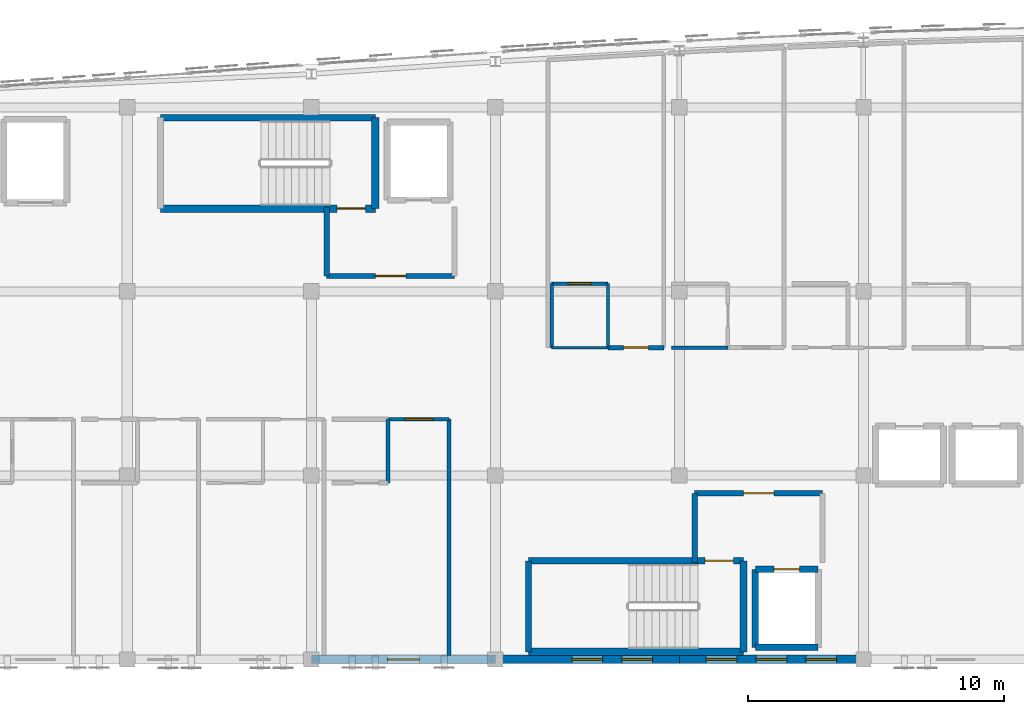
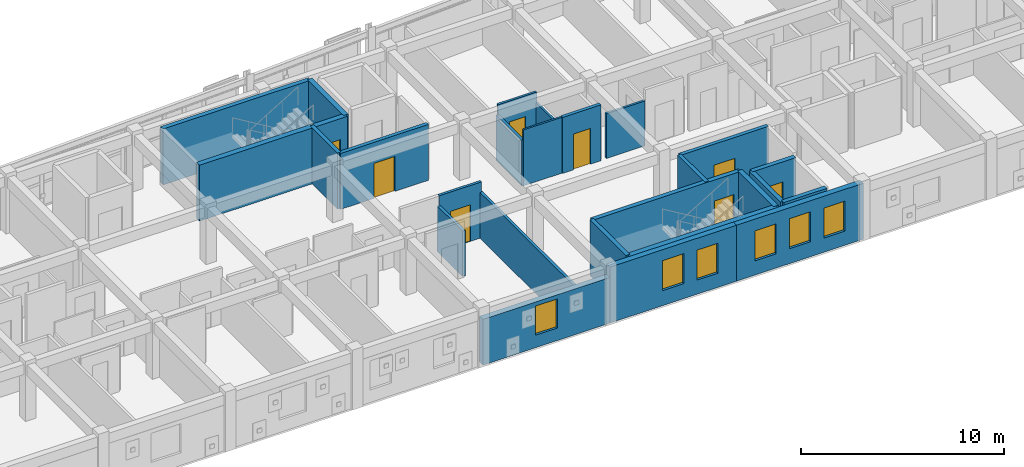
# One storey, part 35 of 45: 26 walls, 8 doors, 6 windows, 14 openings.
"""IFC4 building model written with IfcOpenShell, lengths in metres."""

import ifcopenshell
import ifcopenshell.guid

model = None  # the IFC model being written
_history = None  # IfcOwnerHistory: only IFC2X3 demands one
_inside = {}  # id of a spatial element -> (the spatial element, [elements in it])
_under = {}  # id of a project, library or spatial element -> (it, [spatial elements below it])
_declared = {}  # id of a project -> (the project, [libraries it declares])
_typed = {}  # id of a type object -> (the type object, [elements of that type])
_made_of = {}  # id of a material, layer set ... -> (it, [elements and type objects made of it])


def new_model(schema):
    """Start an empty IFC model of exactly this schema.

    Asked for "IFC4X3", IfcOpenShell would pick the latest addendum, in which some entities
    have other attributes; the version numbers below select the first issue.
    IFC2X3 requires an IfcOwnerHistory on every rooted entity: one is made here for all.
    """
    global model, _history
    if schema == "IFC4X3":
        model = ifcopenshell.file(schema_version=(4, 3, 0, 0))
    else:
        model = ifcopenshell.file(schema=schema)
    _inside.clear()
    _under.clear()
    _declared.clear()
    _typed.clear()
    _made_of.clear()
    _history = None
    if model.schema == "IFC2X3":
        org = make("IfcOrganization", Name="unknown")
        user = make(
            "IfcPersonAndOrganization",
            ThePerson=make("IfcPerson", FamilyName="unknown"),
            TheOrganization=org,
        )
        app = make(
            "IfcApplication",
            ApplicationDeveloper=org,
            Version="unknown",
            ApplicationFullName="unknown",
            ApplicationIdentifier="unknown",
        )
        _history = make(
            "IfcOwnerHistory",
            OwningUser=user,
            OwningApplication=app,
            ChangeAction="ADDED",
            CreationDate=0,
        )
    return model


def make(cls, **values):
    """One entity of the class cls with the attributes given. An attribute that is None is left unset."""
    return model.create_entity(
        cls, **{name: value for name, value in values.items() if value is not None}
    )


def rooted(cls, **values):
    """An entity with a GlobalId (a new one), such as an element, a storey or a relation."""
    return make(cls, GlobalId=ifcopenshell.guid.new(), OwnerHistory=_history, **values)


def si_unit(unit_type, name, prefix=None):
    """IfcSIUnit, for example si_unit("LENGTHUNIT", "METRE", prefix="MILLI")."""
    return make("IfcSIUnit", UnitType=unit_type, Prefix=prefix, Name=name)


def assignment(units):
    """IfcUnitAssignment: the units of a project."""
    return None if units is None else make("IfcUnitAssignment", Units=units)


def point(xyz):
    """IfcCartesianPoint."""
    return None if xyz is None else make("IfcCartesianPoint", Coordinates=xyz)


def direction(xyz):
    """IfcDirection."""
    return None if xyz is None else make("IfcDirection", DirectionRatios=xyz)


def frame(location, z_axis=None, x_axis=None):
    """IfcAxis2Placement3D, a coordinate frame: its origin and axes. An axis left out is left unset."""
    return make(
        "IfcAxis2Placement3D",
        Location=point(location),
        Axis=direction(z_axis),
        RefDirection=direction(x_axis),
    )


def frame_2d(location, x_axis=None):
    """IfcAxis2Placement2D, a coordinate frame in the plane: its origin and x axis."""
    return make(
        "IfcAxis2Placement2D", Location=point(location), RefDirection=direction(x_axis)
    )


def origin():
    """The frame at (0, 0, 0) with its axes left unset."""
    return frame((0.0, 0.0, 0.0))


def place(relative_to, where):
    """IfcLocalPlacement: puts the frame where relative to a parent placement (None: the world)."""
    return make(
        "IfcLocalPlacement", PlacementRelTo=relative_to, RelativePlacement=where
    )


def context(
    kind, dimensions, precision=None, world=None, true_north=None, identifier=None
):
    """IfcGeometricRepresentationContext, for example the 3D "Model" context."""
    return make(
        "IfcGeometricRepresentationContext",
        ContextIdentifier=identifier,
        ContextType=kind,
        CoordinateSpaceDimension=dimensions,
        Precision=precision,
        WorldCoordinateSystem=world,
        TrueNorth=true_north,
    )


def subcontext(parent, identifier, kind, view, scale=None):
    """IfcGeometricRepresentationSubContext, for example "Body" below "Model"."""
    return make(
        "IfcGeometricRepresentationSubContext",
        ContextIdentifier=identifier,
        ContextType=kind,
        ParentContext=parent,
        TargetScale=scale,
        TargetView=view,
    )


def project(units=None, contexts=None):
    """IfcProject with its units and contexts."""
    return rooted(
        "IfcProject",
        Name="project",
        RepresentationContexts=contexts,
        UnitsInContext=assignment(units),
    )


def spatial(cls, under=None, at=None, **own):
    """A site, building, storey or space (cls), placed at a placement, below another one or the project."""
    s = rooted(cls, ObjectPlacement=at, **own)
    if under is not None:
        _under.setdefault(under.id(), (under, []))[1].append(s)
    return s


def profile(cls, at=None, kind="AREA", **sizes):
    """A parametric profile (cls). Its sizes go by their IFC names, for example OverallWidth=200.0."""
    return make(cls, ProfileType=kind, Position=at, **sizes)


def rectangle(**sizes):
    """IfcRectangleProfileDef."""
    return profile("IfcRectangleProfileDef", **sizes)


def extrude(swept, where, along, depth):
    """IfcExtrudedAreaSolid: the profile swept, set in the frame where, extruded along a direction by depth."""
    return make(
        "IfcExtrudedAreaSolid",
        SweptArea=swept,
        Position=where,
        ExtrudedDirection=direction(along),
        Depth=depth,
    )


def shape(context_of_items, identifier, shape_type, items):
    """IfcShapeRepresentation: the items that make up one representation, for example the "Body"."""
    return make(
        "IfcShapeRepresentation",
        ContextOfItems=context_of_items,
        RepresentationIdentifier=identifier,
        RepresentationType=shape_type,
        Items=items,
    )


def material(Name=None, Category=None):
    """IfcMaterial."""
    return make("IfcMaterial", Name=Name, Category=Category)


def layer(
    of_material, thickness, ventilated=None, Name=None, Category=None, Priority=None
):
    """IfcMaterialLayer: one layer of a wall or slab, of a material (None: an air gap)."""
    return make(
        "IfcMaterialLayer",
        Material=of_material,
        LayerThickness=thickness,
        IsVentilated=ventilated,
        Name=Name,
        Category=Category,
        Priority=Priority,
    )


def layer_set(layers, Name=None):
    """IfcMaterialLayerSet."""
    return make("IfcMaterialLayerSet", MaterialLayers=layers, LayerSetName=Name)


def made_of(thing, what):
    """Note that an element or type object is made of a material, layer set ...; save() writes the relation."""
    if what is not None:
        _made_of.setdefault(what.id(), (what, []))[1].append(thing)
    return thing


def type_object(cls, material=None, **own):
    """A type object (cls), such as IfcWallType, which elements share."""
    return made_of(rooted(cls, **own), material)


def element(
    cls,
    number,
    at=None,
    inside=None,
    cuts=None,
    type_object=None,
    material=None,
    context=None,
    identifier="Body",
    shape_type=None,
    held_by="IfcProductDefinitionShape",
    body=None,
    shapes=None,
    **own,
):
    """One element of the class cls, such as IfcWall. Its Tag is "e" and its number.

    at: its placement. inside: the storey or other place that contains it. cuts: it is an
    opening in that element (IfcRelVoidsElement). A single representation is given by context,
    identifier, shape_type and body (its items); several are given by shapes. held_by: the class
    of the entity that holds the representations. save() writes the other relations.
    """
    e = rooted(cls, Tag="e%d" % number, ObjectPlacement=at, **own)
    if body is not None:
        shapes = [shape(context, identifier, shape_type, body)]
    if shapes is not None:
        e.Representation = make(held_by, Representations=shapes)
    if inside is not None:
        _inside.setdefault(inside.id(), (inside, []))[1].append(e)
    if cuts is not None:
        rooted(
            "IfcRelVoidsElement", RelatingBuildingElement=cuts, RelatedOpeningElement=e
        )
    if type_object is not None:
        _typed.setdefault(type_object.id(), (type_object, []))[1].append(e)
    return made_of(e, material)


def fill(opening, filler):
    """IfcRelFillsElement: the door or window that sits in an opening."""
    return rooted(
        "IfcRelFillsElement",
        RelatingOpeningElement=opening,
        RelatedBuildingElement=filler,
    )


def aggregate(whole, parts):
    """IfcRelAggregates: a whole, such as a stair, and the parts it consists of."""
    return rooted("IfcRelAggregates", RelatingObject=whole, RelatedObjects=parts)


def save(model, path):
    """Write the relations noted so far, then the file.

    IfcRelAggregates (storeys below a building ...), IfcRelContainedInSpatialStructure (elements
    in a storey), IfcRelDefinesByType, IfcRelAssociatesMaterial and IfcRelDeclares: one each for
    every whole, place, type object, material and project.
    """
    for whole, parts in _under.values():
        aggregate(whole, parts)
    for where, things in _inside.values():
        rooted(
            "IfcRelContainedInSpatialStructure",
            RelatedElements=things,
            RelatingStructure=where,
        )
    for kind, things in _typed.values():
        rooted("IfcRelDefinesByType", RelatedObjects=things, RelatingType=kind)
    for what, things in _made_of.values():
        rooted("IfcRelAssociatesMaterial", RelatedObjects=things, RelatingMaterial=what)
    for by, libraries in _declared.values():
        rooted("IfcRelDeclares", RelatingContext=by, RelatedDefinitions=libraries)
    model.write(path)


model = new_model("IFC4")

# Units and contexts
model_context = context("Model", 3, precision=1e-05, world=origin(), true_north=direction((0.0, 1.0)))
body_context = subcontext(model_context, "Body", "Model", "MODEL_VIEW")
ifc_project = project(units=[si_unit("LENGTHUNIT", "METRE"), si_unit("AREAUNIT", "SQUARE_METRE"), si_unit("VOLUMEUNIT", "CUBIC_METRE"), si_unit("PLANEANGLEUNIT", "RADIAN"), si_unit("MASSUNIT", "GRAM", prefix="KILO")], contexts=[model_context])

# Site, building, storey
site_placement = place(None, origin())
site = spatial("IfcSite", under=ifc_project, at=site_placement, CompositionType="ELEMENT")
building_placement = place(site_placement, origin())
building = spatial("IfcBuilding", under=site, at=building_placement, Name="Carrowvane Square Congress Hotel", CompositionType="ELEMENT")
storey_placement = place(building_placement, frame((0.0, 0.0, 33.60009765625)))
storey = spatial("IfcBuildingStorey", under=building, at=storey_placement, Name="L08", CompositionType="ELEMENT", Elevation=33.60009765625)

# Wall, openings, windows
ifc_material_1 = material(Name="Glazed terracotta rainscreen", Category="masonry")
ifc_layer_1 = layer(ifc_material_1, 0.330078125)
ifc_layer_set_1 = layer_set([ifc_layer_1], Name="Glazed terracotta rainscreen")
wall_type_1 = type_object("IfcWallType", Name="WL-EXT-TC330", PredefinedType="STANDARD", material=ifc_layer_set_1)
wall_1_placement = place(storey_placement, frame((83.60009765625, 91.800048828125, 0.0), z_axis=(0.0, 0.0, 1.0), x_axis=(-1.0, 0.0, 0.0)))
wall_1 = element("IfcWall", 1, at=wall_1_placement, inside=storey, type_object=wall_type_1, Name="L08 exterior facade wall 550", PredefinedType="STANDARD", context=body_context, shape_type="SweptSolid", body=[
    extrude(rectangle(XDim=7.2001953125, YDim=0.330078125, at=frame_2d((3.60009765625, 0.0))), origin(), (0.0, 0.0, 1.0), 3.35986328125),
])
opening_1_placement = place(wall_1_placement, frame((3.0, 0.0, 0.89990234375)))
opening_1 = element("IfcOpeningElement", 2, at=opening_1_placement, cuts=wall_1, Name="Opening W-01", PredefinedType="OPENING", context=body_context, shape_type="SweptSolid", body=[
    extrude(rectangle(XDim=1.199951171875, YDim=1.800048828125, at=frame_2d((0.60009765625, 0.89990234375))), frame((0.0, 0.175048828125, 0.0), z_axis=(0.0, -1.0, 0.0), x_axis=(1.0, 0.0, 0.0)), (0.0, 0.0, 1.0), 0.35009765625),
])
opening_2_placement = place(wall_1_placement, frame((1.050048828125, 0.0, 0.85009765625)))
opening_2 = element("IfcOpeningElement", 3, at=opening_2_placement, cuts=wall_1, Name="Opening W-01", PredefinedType="OPENING", context=body_context, shape_type="SweptSolid", body=[
    extrude(rectangle(XDim=1.199951171875, YDim=1.800048828125, at=frame_2d((0.60009765625, 0.89990234375))), frame((0.0, 0.175048828125, 0.0), z_axis=(0.0, -1.0, 0.0), x_axis=(1.0, 0.0, 0.0)), (0.0, 0.0, 1.0), 0.35009765625),
])
opening_3_placement = place(wall_1_placement, frame((4.949951171875, 0.0, 0.85009765625)))
opening_3 = element("IfcOpeningElement", 4, at=opening_3_placement, cuts=wall_1, Name="Opening W-01", PredefinedType="OPENING", context=body_context, shape_type="SweptSolid", body=[
    extrude(rectangle(XDim=1.199951171875, YDim=1.800048828125, at=frame_2d((0.60009765625, 0.89990234375))), frame((0.0, 0.175048828125, 0.0), z_axis=(0.0, -1.0, 0.0), x_axis=(1.0, 0.0, 0.0)), (0.0, 0.0, 1.0), 0.35009765625),
])
ifc_material_2 = material(Name="Double-glazed low-E glass", Category="glass")
window_type_1 = type_object("IfcWindowType", Name="WIN-01", PartitioningType="SINGLE_PANEL", PredefinedType="WINDOW", material=ifc_material_2)
window_1_placement = place(opening_1_placement, origin())
window_1 = element("IfcWindow", 5, at=window_1_placement, inside=storey, type_object=window_type_1, Name="L08 facade window 394", OverallHeight=1.800048828125, OverallWidth=1.199951171875, PartitioningType="SINGLE_PANEL", PredefinedType="WINDOW", context=body_context, shape_type="SweptSolid", body=[
    extrude(rectangle(XDim=1.199951171875, YDim=1.800048828125, at=frame_2d((0.60009765625, 0.89990234375))), frame((0.0, 0.030029296875, 0.0), z_axis=(0.0, -1.0, 0.0), x_axis=(1.0, 0.0, 0.0)), (0.0, 0.0, 1.0), 0.06005859375),
])
fill(opening_1, window_1)
window_2_placement = place(opening_2_placement, origin())
window_2 = element("IfcWindow", 6, at=window_2_placement, inside=storey, type_object=window_type_1, Name="L08 guest bedroom window 395", OverallHeight=1.800048828125, OverallWidth=1.199951171875, PartitioningType="SINGLE_PANEL", PredefinedType="WINDOW", context=body_context, shape_type="SweptSolid", body=[
    extrude(rectangle(XDim=1.199951171875, YDim=1.800048828125, at=frame_2d((0.60009765625, 0.89990234375))), frame((0.0, 0.030029296875, 0.0), z_axis=(0.0, -1.0, 0.0), x_axis=(1.0, 0.0, 0.0)), (0.0, 0.0, 1.0), 0.06005859375),
])
fill(opening_2, window_2)
window_3_placement = place(opening_3_placement, origin())
window_3 = element("IfcWindow", 7, at=window_3_placement, inside=storey, type_object=window_type_1, Name="L08 guest bedroom window 396", OverallHeight=1.800048828125, OverallWidth=1.199951171875, PartitioningType="SINGLE_PANEL", PredefinedType="WINDOW", context=body_context, shape_type="SweptSolid", body=[
    extrude(rectangle(XDim=1.199951171875, YDim=1.800048828125, at=frame_2d((0.60009765625, 0.89990234375))), frame((0.0, 0.030029296875, 0.0), z_axis=(0.0, -1.0, 0.0), x_axis=(1.0, 0.0, 0.0)), (0.0, 0.0, 1.0), 0.06005859375),
])
fill(opening_3, window_3)

wall_2_placement = place(storey_placement, frame((76.39990234375, 91.800048828125, 0.0), z_axis=(0.0, 0.0, 1.0), x_axis=(-1.0, 0.0, 0.0)))
wall_2 = element("IfcWall", 8, at=wall_2_placement, inside=storey, type_object=wall_type_1, Name="L08 exterior facade wall 551", PredefinedType="STANDARD", context=body_context, shape_type="SweptSolid", body=[
    extrude(rectangle(XDim=7.199951171875, YDim=0.330078125, at=frame_2d((3.60009765625, 0.0))), origin(), (0.0, 0.0, 1.0), 3.35986328125),
])
opening_4_placement = place(wall_2_placement, frame((3.0, 0.0, 0.89990234375)))
opening_4 = element("IfcOpeningElement", 9, at=opening_4_placement, cuts=wall_2, Name="Opening W-01", PredefinedType="OPENING", context=body_context, shape_type="SweptSolid", body=[
    extrude(rectangle(XDim=1.199951171875, YDim=1.800048828125, at=frame_2d((0.60009765625, 0.89990234375))), frame((0.0, 0.175048828125, 0.0), z_axis=(0.0, -1.0, 0.0), x_axis=(1.0, 0.0, 0.0)), (0.0, 0.0, 1.0), 0.35009765625),
])
opening_5_placement = place(wall_2_placement, frame((1.050048828125, 0.0, 0.85009765625)))
opening_5 = element("IfcOpeningElement", 10, at=opening_5_placement, cuts=wall_2, Name="Opening W-01", PredefinedType="OPENING", context=body_context, shape_type="SweptSolid", body=[
    extrude(rectangle(XDim=1.199951171875, YDim=1.800048828125, at=frame_2d((0.60009765625, 0.89990234375))), frame((0.0, 0.175048828125, 0.0), z_axis=(0.0, -1.0, 0.0), x_axis=(1.0, 0.0, 0.0)), (0.0, 0.0, 1.0), 0.35009765625),
])
window_4_placement = place(opening_4_placement, origin())
window_4 = element("IfcWindow", 11, at=window_4_placement, inside=storey, type_object=window_type_1, Name="L08 facade window 397", OverallHeight=1.800048828125, OverallWidth=1.199951171875, PartitioningType="SINGLE_PANEL", PredefinedType="WINDOW", context=body_context, shape_type="SweptSolid", body=[
    extrude(rectangle(XDim=1.199951171875, YDim=1.800048828125, at=frame_2d((0.60009765625, 0.89990234375))), frame((0.0, 0.030029296875, 0.0), z_axis=(0.0, -1.0, 0.0), x_axis=(1.0, 0.0, 0.0)), (0.0, 0.0, 1.0), 0.06005859375),
])
fill(opening_4, window_4)
window_5_placement = place(opening_5_placement, origin())
window_5 = element("IfcWindow", 12, at=window_5_placement, inside=storey, type_object=window_type_1, Name="L08 guest bedroom window 398", OverallHeight=1.800048828125, OverallWidth=1.199951171875, PartitioningType="SINGLE_PANEL", PredefinedType="WINDOW", context=body_context, shape_type="SweptSolid", body=[
    extrude(rectangle(XDim=1.199951171875, YDim=1.800048828125, at=frame_2d((0.60009765625, 0.89990234375))), frame((0.0, 0.030029296875, 0.0), z_axis=(0.0, -1.0, 0.0), x_axis=(1.0, 0.0, 0.0)), (0.0, 0.0, 1.0), 0.06005859375),
])
fill(opening_5, window_5)

# Wall, opening, window
wall_3_placement = place(storey_placement, frame((69.199951171875, 91.800048828125, 0.0), z_axis=(0.0, 0.0, 1.0), x_axis=(-1.0, 0.0, 0.0)))
wall_3 = element("IfcWall", 13, at=wall_3_placement, inside=storey, type_object=wall_type_1, Name="L08 exterior facade wall 552", PredefinedType="STANDARD", context=body_context, shape_type="SweptSolid", body=[
    extrude(rectangle(XDim=7.199951171875, YDim=0.330078125, at=frame_2d((3.60009765625, 0.0))), origin(), (0.0, 0.0, 1.0), 2.744873046875),
])
opening_6_placement = place(wall_3_placement, frame((2.97509765625, 0.0, 0.75)))
opening_6 = element("IfcOpeningElement", 14, at=opening_6_placement, cuts=wall_3, Name="Opening W-21", PredefinedType="OPENING", context=body_context, shape_type="SweptSolid", body=[
    extrude(rectangle(XDim=1.25, YDim=1.75, at=frame_2d((0.625, 0.875))), frame((0.0, 0.175048828125, 0.0), z_axis=(0.0, -1.0, 0.0), x_axis=(1.0, 0.0, 0.0)), (0.0, 0.0, 1.0), 0.35009765625),
])
ifc_material_3 = material(Name="Double-glazed low-E glass", Category="glass")
window_type_2 = type_object("IfcWindowType", Name="WIN-21", PartitioningType="SINGLE_PANEL", PredefinedType="WINDOW", material=ifc_material_3)
window_6_placement = place(opening_6_placement, origin())
window_6 = element("IfcWindow", 15, at=window_6_placement, inside=storey, type_object=window_type_2, Name="L08 facade window 400", OverallHeight=1.75, OverallWidth=1.25, PartitioningType="SINGLE_PANEL", PredefinedType="WINDOW", context=body_context, shape_type="SweptSolid", body=[
    extrude(rectangle(XDim=1.25, YDim=1.75, at=frame_2d((0.625, 0.875))), frame((0.0, 0.030029296875, 0.0), z_axis=(0.0, -1.0, 0.0), x_axis=(1.0, 0.0, 0.0)), (0.0, 0.0, 1.0), 0.06005859375),
])
fill(opening_6, window_6)

# Walls
ifc_material_4 = material(Name="Acoustic gypsum board", Category="gypsum")
ifc_layer_2 = layer(ifc_material_4, 0.155029296875)
ifc_layer_set_2 = layer_set([ifc_layer_2], Name="Acoustic gypsum board")
wall_type_2 = type_object("IfcWallType", Name="WL-FIR-155", PredefinedType="PARTITIONING", material=ifc_layer_set_2)
wall_4_placement = place(storey_placement, frame((65.0, 101.199951171875, 0.0), z_axis=(0.0, 0.0, 1.0), x_axis=(0.0, -1.0, 0.0)))
element("IfcWall", 16, at=wall_4_placement, inside=storey, type_object=wall_type_2, Name="L08 En-suite Bathroom 0805 partition", PredefinedType="PARTITIONING", context=body_context, shape_type="SweptSolid", body=[
    extrude(rectangle(XDim=2.5, YDim=0.155029296875, at=frame_2d((1.25, 0.0))), origin(), (0.0, 0.0, 1.0), 2.744873046875),
])
wall_5_placement = place(storey_placement, frame((67.389892578125, 101.199951171875, 0.0), z_axis=(0.0, 0.0, 1.0), x_axis=(0.0, -1.0, 0.0)))
element("IfcWall", 17, at=wall_5_placement, inside=storey, type_object=wall_type_2, Name="L08 Hotel Guest Bedroom 0805 partition", PredefinedType="PARTITIONING", context=body_context, shape_type="SweptSolid", body=[
    extrude(rectangle(XDim=9.239990234375, YDim=0.155029296875, at=frame_2d((4.6201171875, 0.0))), origin(), (0.0, 0.0, 1.0), 2.744873046875),
])

# Wall, opening, door
ifc_material_5 = material(Name="Acoustic gypsum board", Category="gypsum")
ifc_layer_3 = layer(ifc_material_5, 0.18505859375)
ifc_layer_set_3 = layer_set([ifc_layer_3], Name="Acoustic gypsum board")
wall_type_3 = type_object("IfcWallType", Name="WL-FIR-185", PredefinedType="PARTITIONING", material=ifc_layer_set_3)
wall_6_placement = place(storey_placement, frame((75.7900390625, 104.0, 0.0), z_axis=(0.0, 0.0, 1.0), x_axis=(-1.0, 0.0, 0.0)))
wall_6 = element("IfcWall", 18, at=wall_6_placement, inside=storey, type_object=wall_type_3, Name="L08 Parkview Guest Bedroom 0811 partition", PredefinedType="PARTITIONING", context=body_context, shape_type="SweptSolid", body=[
    extrude(rectangle(XDim=2.179931640625, YDim=0.18505859375, at=frame_2d((1.08984375, 0.0))), origin(), (0.0, 0.0, 1.0), 3.35986328125),
])
opening_7_placement = place(wall_6_placement, frame((0.60009765625, 0.0, 0.0)))
opening_7 = element("IfcOpeningElement", 19, at=opening_7_placement, cuts=wall_6, Name="Opening FD-07", PredefinedType="OPENING", context=body_context, shape_type="SweptSolid", body=[
    extrude(rectangle(XDim=0.97998046875, YDim=2.14990234375, at=frame_2d((0.489990234375, 1.074951171875))), frame((0.0, 0.1025390625, 0.0), z_axis=(0.0, -1.0, 0.0), x_axis=(1.0, 0.0, 0.0)), (0.0, 0.0, 1.0), 0.205078125),
])
ifc_material_6 = material(Name="European oak timber", Category="wood")
door_type_1 = type_object("IfcDoorType", Name="DR-FD30-0980x2150", OperationType="NOTDEFINED", PredefinedType="DOOR", material=ifc_material_6)
door_1_placement = place(opening_7_placement, origin())
door_1 = element("IfcDoor", 20, at=door_1_placement, inside=storey, type_object=door_type_1, Name="L08 Parkview Guest Bedroom 0811 entrance door", OperationType="SINGLE_SWING_RIGHT", OverallHeight=2.14990234375, OverallWidth=0.97998046875, PredefinedType="DOOR", context=body_context, shape_type="SweptSolid", body=[
    extrude(rectangle(XDim=0.97998046875, YDim=2.14990234375, at=frame_2d((0.489990234375, 1.074951171875))), frame((0.0, 0.02490234375, 0.0), z_axis=(0.0, -1.0, 0.0), x_axis=(1.0, 0.0, 0.0)), (0.0, 0.0, 1.0), 0.050048828125),
])
fill(opening_7, door_1)

ifc_material_7 = material(Name="Acoustic gypsum board", Category="gypsum")
ifc_layer_4 = layer(ifc_material_7, 0.205078125)
ifc_layer_set_4 = layer_set([ifc_layer_4], Name="Acoustic gypsum board")
wall_type_4 = type_object("IfcWallType", Name="WL-FIR-205", PredefinedType="PARTITIONING", material=ifc_layer_set_4)
wall_7_placement = place(storey_placement, frame((62.60009765625, 106.800048828125, 0.0), z_axis=(0.0, 0.0, 1.0), x_axis=(1.0, 0.0, 0.0)))
wall_7 = element("IfcWall", 21, at=wall_7_placement, inside=storey, type_object=wall_type_4, Name="L08 Firefighting Lobby C1 wall south", PredefinedType="PARTITIONING", context=body_context, shape_type="SweptSolid", body=[
    extrude(rectangle(XDim=5.0, YDim=0.205078125, at=frame_2d((2.5, 0.0))), origin(), (0.0, 0.0, 1.0), 3.35986328125),
])
opening_8_placement = place(wall_7_placement, frame((1.89990234375, 0.0, 0.0)))
opening_8 = element("IfcOpeningElement", 22, at=opening_8_placement, cuts=wall_7, Name="Opening FD-02", PredefinedType="OPENING", context=body_context, shape_type="SweptSolid", body=[
    extrude(rectangle(XDim=1.199951171875, YDim=2.10009765625, at=frame_2d((0.60009765625, 1.050048828125))), frame((0.0, 0.112548828125, 0.0), z_axis=(0.0, -1.0, 0.0), x_axis=(1.0, 0.0, 0.0)), (0.0, 0.0, 1.0), 0.22509765625),
])
ifc_material_8 = material(Name="European oak timber", Category="wood")
door_type_2 = type_object("IfcDoorType", Name="DR-FD60-1200x2100", OperationType="NOTDEFINED", PredefinedType="DOOR", material=ifc_material_8)
door_2_placement = place(opening_8_placement, origin())
door_2 = element("IfcDoor", 23, at=door_2_placement, inside=storey, type_object=door_type_2, Name="L08 Firefighting Lobby C1 entrance door", OperationType="SINGLE_SWING_LEFT", OverallHeight=2.10009765625, OverallWidth=1.199951171875, PredefinedType="DOOR", context=body_context, shape_type="SweptSolid", body=[
    extrude(rectangle(XDim=1.199951171875, YDim=2.10009765625, at=frame_2d((0.60009765625, 1.050048828125))), frame((0.0, 0.02490234375, 0.0), z_axis=(0.0, -1.0, 0.0), x_axis=(1.0, 0.0, 0.0)), (0.0, 0.0, 1.0), 0.050048828125),
])
fill(opening_8, door_2)

# Wall
wall_8_placement = place(storey_placement, frame((62.60009765625, 109.5, 0.0), z_axis=(0.0, 0.0, 1.0), x_axis=(0.0, -1.0, 0.0)))
element("IfcWall", 24, at=wall_8_placement, inside=storey, type_object=wall_type_4, Name="L08 Firefighting Lobby C1 wall west", PredefinedType="PARTITIONING", context=body_context, shape_type="SweptSolid", body=[
    extrude(rectangle(XDim=2.699951171875, YDim=0.205078125, at=frame_2d((1.35009765625, 0.0))), origin(), (0.0, 0.0, 1.0), 3.35986328125),
])

# Wall, opening, door
wall_9_placement = place(storey_placement, frame((82.0, 98.300048828125, 0.0), z_axis=(0.0, 0.0, 1.0), x_axis=(-1.0, 0.0, 0.0)))
wall_9 = element("IfcWall", 25, at=wall_9_placement, inside=storey, type_object=wall_type_4, Name="L08 Firefighting Lobby C2 wall north", PredefinedType="PARTITIONING", context=body_context, shape_type="SweptSolid", body=[
    extrude(rectangle(XDim=5.0, YDim=0.205078125, at=frame_2d((2.5, 0.0))), origin(), (0.0, 0.0, 1.0), 3.35986328125),
])
opening_9_placement = place(wall_9_placement, frame((1.89990234375, 0.0, 0.0)))
opening_9 = element("IfcOpeningElement", 26, at=opening_9_placement, cuts=wall_9, Name="Opening FD-02", PredefinedType="OPENING", context=body_context, shape_type="SweptSolid", body=[
    extrude(rectangle(XDim=1.199951171875, YDim=2.10009765625, at=frame_2d((0.60009765625, 1.050048828125))), frame((0.0, 0.112548828125, 0.0), z_axis=(0.0, -1.0, 0.0), x_axis=(1.0, 0.0, 0.0)), (0.0, 0.0, 1.0), 0.22509765625),
])
door_3_placement = place(opening_9_placement, origin())
door_3 = element("IfcDoor", 27, at=door_3_placement, inside=storey, type_object=door_type_2, Name="L08 Firefighting Lobby C2 entrance door", OperationType="SINGLE_SWING_RIGHT", OverallHeight=2.10009765625, OverallWidth=1.199951171875, PredefinedType="DOOR", context=body_context, shape_type="SweptSolid", body=[
    extrude(rectangle(XDim=1.199951171875, YDim=2.10009765625, at=frame_2d((0.60009765625, 1.050048828125))), frame((0.0, 0.02490234375, 0.0), z_axis=(0.0, -1.0, 0.0), x_axis=(1.0, 0.0, 0.0)), (0.0, 0.0, 1.0), 0.050048828125),
])
fill(opening_9, door_3)

# Walls
wall_10_placement = place(storey_placement, frame((77.0, 98.300048828125, 0.0), z_axis=(0.0, 0.0, 1.0), x_axis=(0.0, -1.0, 0.0)))
element("IfcWall", 28, at=wall_10_placement, inside=storey, type_object=wall_type_4, Name="L08 Firefighting Lobby C2 wall west", PredefinedType="PARTITIONING", context=body_context, shape_type="SweptSolid", body=[
    extrude(rectangle(XDim=2.699951171875, YDim=0.205078125, at=frame_2d((1.35009765625, 0.0))), origin(), (0.0, 0.0, 1.0), 3.35986328125),
])
ifc_material_9 = material(Name="Acoustic gypsum board", Category="gypsum")
ifc_layer_5 = layer(ifc_material_9, 0.10791015625)
ifc_layer_set_5 = layer_set([ifc_layer_5], Name="Acoustic gypsum board")
wall_type_5 = type_object("IfcWallType", Name="WL-PRT-108", PredefinedType="PARTITIONING", material=ifc_layer_set_5)
wall_11_placement = place(storey_placement, frame((73.60009765625, 104.0, 0.0), z_axis=(0.0, 0.0, 1.0), x_axis=(-1.0, 0.0, 0.0)))
element("IfcWall", 29, at=wall_11_placement, inside=storey, type_object=wall_type_5, Name="L08 En-suite Bathroom 0811 partition", PredefinedType="PARTITIONING", context=body_context, shape_type="SweptSolid", body=[
    extrude(rectangle(XDim=2.2001953125, YDim=0.10791015625, at=frame_2d((1.10009765625, 0.0))), origin(), (0.0, 0.0, 1.0), 3.35986328125),
])
ifc_material_10 = material(Name="Acoustic gypsum board", Category="gypsum")
ifc_layer_6 = layer(ifc_material_10, 0.117919921875)
ifc_layer_set_6 = layer_set([ifc_layer_6], Name="Acoustic gypsum board")
wall_type_6 = type_object("IfcWallType", Name="WL-PRT-118", PredefinedType="PARTITIONING", material=ifc_layer_set_6)
wall_12_placement = place(storey_placement, frame((73.60009765625, 106.5, 0.0), z_axis=(0.0, 0.0, 1.0), x_axis=(0.0, -1.0, 0.0)))
element("IfcWall", 30, at=wall_12_placement, inside=storey, type_object=wall_type_6, Name="L08 En-suite Bathroom 0811 partition", PredefinedType="PARTITIONING", context=body_context, shape_type="SweptSolid", body=[
    extrude(rectangle(XDim=2.5, YDim=0.117919921875, at=frame_2d((1.25, 0.0))), origin(), (0.0, 0.0, 1.0), 2.744873046875),
])

# Wall, opening, door
ifc_material_11 = material(Name="Acoustic gypsum board", Category="gypsum")
ifc_layer_7 = layer(ifc_material_11, 0.1279296875)
ifc_layer_set_7 = layer_set([ifc_layer_7], Name="Acoustic gypsum board")
wall_type_7 = type_object("IfcWallType", Name="WL-PRT-128", PredefinedType="PARTITIONING", material=ifc_layer_set_7)
wall_13_placement = place(storey_placement, frame((71.39990234375, 106.5, 0.0), z_axis=(0.0, 0.0, 1.0), x_axis=(1.0, 0.0, 0.0)))
wall_13 = element("IfcWall", 31, at=wall_13_placement, inside=storey, type_object=wall_type_7, Name="L08 En-suite Bathroom 0811 partition", PredefinedType="PARTITIONING", context=body_context, shape_type="SweptSolid", body=[
    extrude(rectangle(XDim=2.2001953125, YDim=0.1279296875, at=frame_2d((1.10009765625, 0.0))), origin(), (0.0, 0.0, 1.0), 3.35986328125),
])
opening_10_placement = place(wall_13_placement, frame((0.64501953125, 0.0, 0.0)))
opening_10 = element("IfcOpeningElement", 32, at=opening_10_placement, cuts=wall_13, Name="Opening ID-17", PredefinedType="OPENING", context=body_context, shape_type="SweptSolid", body=[
    extrude(rectangle(XDim=0.909912109375, YDim=2.110107421875, at=frame_2d((0.455078125, 1.05517578125))), frame((0.0, 0.073974609375, 0.0), z_axis=(0.0, -1.0, 0.0), x_axis=(1.0, 0.0, 0.0)), (0.0, 0.0, 1.0), 0.14794921875),
])
ifc_material_12 = material(Name="European oak timber", Category="wood")
door_type_3 = type_object("IfcDoorType", Name="DR-INT-0910x2110", OperationType="NOTDEFINED", PredefinedType="DOOR", material=ifc_material_12)
door_4_placement = place(opening_10_placement, origin())
door_4 = element("IfcDoor", 33, at=door_4_placement, inside=storey, type_object=door_type_3, Name="L08 En-suite Bathroom 0811 door", OperationType="SINGLE_SWING_LEFT", OverallHeight=2.110107421875, OverallWidth=0.909912109375, PredefinedType="DOOR", context=body_context, shape_type="SweptSolid", body=[
    extrude(rectangle(XDim=0.909912109375, YDim=2.110107421875, at=frame_2d((0.455078125, 1.05517578125))), frame((0.0, 0.02490234375, 0.0), z_axis=(0.0, -1.0, 0.0), x_axis=(1.0, 0.0, 0.0)), (0.0, 0.0, 1.0), 0.050048828125),
])
fill(opening_10, door_4)

# Walls
wall_14_placement = place(storey_placement, frame((78.300048828125, 104.0, 0.0), z_axis=(0.0, 0.0, 1.0), x_axis=(-1.0, 0.0, 0.0)))
element("IfcWall", 34, at=wall_14_placement, inside=storey, type_object=wall_type_7, Name="L08 En-suite Bathroom 0812 partition", PredefinedType="PARTITIONING", context=body_context, shape_type="SweptSolid", body=[
    extrude(rectangle(XDim=2.199951171875, YDim=0.1279296875, at=frame_2d((1.10009765625, 0.0))), origin(), (0.0, 0.0, 1.0), 2.69482421875),
])
ifc_material_13 = material(Name="Acoustic gypsum board", Category="gypsum")
ifc_layer_8 = layer(ifc_material_13, 0.137939453125)
ifc_layer_set_8 = layer_set([ifc_layer_8], Name="Acoustic gypsum board")
wall_type_8 = type_object("IfcWallType", Name="WL-PRT-138", PredefinedType="PARTITIONING", material=ifc_layer_set_8)
wall_15_placement = place(storey_placement, frame((71.39990234375, 104.0, 0.0), z_axis=(0.0, 0.0, 1.0), x_axis=(0.0, 1.0, 0.0)))
element("IfcWall", 35, at=wall_15_placement, inside=storey, type_object=wall_type_8, Name="L08 En-suite Bathroom 0811 partition", PredefinedType="PARTITIONING", context=body_context, shape_type="SweptSolid", body=[
    extrude(rectangle(XDim=2.5, YDim=0.137939453125, at=frame_2d((1.25, 0.0))), origin(), (0.0, 0.0, 1.0), 2.744873046875),
])

# Wall, opening, door
ifc_material_14 = material(Name="Acoustic gypsum board", Category="gypsum")
ifc_layer_9 = layer(ifc_material_14, 0.14794921875)
ifc_layer_set_9 = layer_set([ifc_layer_9], Name="Acoustic gypsum board")
wall_type_9 = type_object("IfcWallType", Name="WL-PRT-148", PredefinedType="PARTITIONING", material=ifc_layer_set_9)
wall_16_placement = place(storey_placement, frame((65.010009765625, 101.199951171875, 0.0), z_axis=(0.0, 0.0, 1.0), x_axis=(1.0, 0.0, 0.0)))
wall_16 = element("IfcWall", 36, at=wall_16_placement, inside=storey, type_object=wall_type_9, Name="L08 Hotel Guest Bedroom 0805 partition", PredefinedType="PARTITIONING", context=body_context, shape_type="SweptSolid", body=[
    extrude(rectangle(XDim=2.3798828125, YDim=0.14794921875, at=frame_2d((1.18994140625, 0.0))), origin(), (0.0, 0.0, 1.0), 3.35986328125),
])
opening_11_placement = place(wall_16_placement, frame((0.6298828125, 0.0, 0.0)))
opening_11 = element("IfcOpeningElement", 37, at=opening_11_placement, cuts=wall_16, Name="Opening FD-10", PredefinedType="OPENING", context=body_context, shape_type="SweptSolid", body=[
    extrude(rectangle(XDim=1.1201171875, YDim=2.199951171875, at=frame_2d((0.56005859375, 1.10009765625))), frame((0.0, 0.083984375, 0.0), z_axis=(0.0, -1.0, 0.0), x_axis=(1.0, 0.0, 0.0)), (0.0, 0.0, 1.0), 0.16796875),
])
ifc_material_15 = material(Name="European oak timber", Category="wood")
door_type_4 = type_object("IfcDoorType", Name="DR-FD30-1120x2200", OperationType="NOTDEFINED", PredefinedType="DOOR", material=ifc_material_15)
door_5_placement = place(opening_11_placement, origin())
door_5 = element("IfcDoor", 38, at=door_5_placement, inside=storey, type_object=door_type_4, Name="L08 Hotel Guest Bedroom 0805 entrance door", OperationType="SINGLE_SWING_RIGHT", OverallHeight=2.199951171875, OverallWidth=1.1201171875, PredefinedType="DOOR", context=body_context, shape_type="SweptSolid", body=[
    extrude(rectangle(XDim=1.1201171875, YDim=2.199951171875, at=frame_2d((0.56005859375, 1.10009765625))), frame((0.0, 0.02490234375, 0.0), z_axis=(0.0, -1.0, 0.0), x_axis=(1.0, 0.0, 0.0)), (0.0, 0.0, 1.0), 0.050048828125),
])
fill(opening_11, door_5)

# Walls
ifc_material_16 = material(Name="Concrete C40/50", Category="concrete")
ifc_layer_10 = layer(ifc_material_16, 0.22509765625)
ifc_layer_set_10 = layer_set([ifc_layer_10], Name="Concrete C40/50")
wall_type_10 = type_object("IfcWallType", Name="WL-SHR-225", PredefinedType="SHEAR", material=ifc_layer_set_10)
wall_17_placement = place(storey_placement, frame((70.5, 95.659912109375, 0.0), z_axis=(0.0, 0.0, 1.0), x_axis=(0.0, -1.0, 0.0)))
element("IfcWall", 39, at=wall_17_placement, inside=storey, type_object=wall_type_10, Name="L08 ST2 core wall west", PredefinedType="SHEAR", context=body_context, shape_type="SweptSolid", body=[
    extrude(rectangle(XDim=3.559814453125, YDim=0.22509765625, at=frame_2d((1.77978515625, 0.0))), origin(), (0.0, 0.0, 1.0), 3.35986328125),
])
ifc_material_17 = material(Name="Concrete C40/50", Category="concrete")
ifc_layer_11 = layer(ifc_material_17, 0.25)
ifc_layer_set_11 = layer_set([ifc_layer_11], Name="Concrete C40/50")
wall_type_11 = type_object("IfcWallType", Name="WL-SHR-250", PredefinedType="SHEAR", material=ifc_layer_set_11)
wall_18_placement = place(storey_placement, frame((64.5, 113.0, 0.0), z_axis=(0.0, 0.0, 1.0), x_axis=(-1.0, 0.0, 0.0)))
element("IfcWall", 40, at=wall_18_placement, inside=storey, type_object=wall_type_11, Name="L08 ST1 core wall north", PredefinedType="SHEAR", context=body_context, shape_type="SweptSolid", body=[
    extrude(rectangle(XDim=8.39990234375, YDim=0.25, at=frame_2d((4.199951171875, 0.0))), origin(), (0.0, 0.0, 1.0), 3.35986328125),
])

# Wall, opening, door
wall_19_placement = place(storey_placement, frame((78.89990234375, 95.659912109375, 0.0), z_axis=(0.0, 0.0, 1.0), x_axis=(-1.0, 0.0, 0.0)))
wall_19 = element("IfcWall", 41, at=wall_19_placement, inside=storey, type_object=wall_type_11, Name="L08 ST2 core wall north", PredefinedType="SHEAR", context=body_context, shape_type="SweptSolid", body=[
    extrude(rectangle(XDim=8.39990234375, YDim=0.25, at=frame_2d((4.199951171875, 0.0))), origin(), (0.0, 0.0, 1.0), 3.35986328125),
])
opening_12_placement = place(wall_19_placement, frame((0.389892578125, 0.0, 0.0)))
opening_12 = element("IfcOpeningElement", 42, at=opening_12_placement, cuts=wall_19, Name="Opening FD-01", PredefinedType="OPENING", context=body_context, shape_type="SweptSolid", body=[
    extrude(rectangle(XDim=1.10009765625, YDim=2.10009765625, at=frame_2d((0.550048828125, 1.050048828125))), frame((0.0, 0.135009765625, 0.0), z_axis=(0.0, -1.0, 0.0), x_axis=(1.0, 0.0, 0.0)), (0.0, 0.0, 1.0), 0.27001953125),
])
ifc_material_18 = material(Name="European oak timber", Category="wood")
door_type_5 = type_object("IfcDoorType", Name="DR-FD60-1100x2100", OperationType="NOTDEFINED", PredefinedType="DOOR", material=ifc_material_18)
door_6_placement = place(opening_12_placement, origin())
door_6 = element("IfcDoor", 43, at=door_6_placement, inside=storey, type_object=door_type_5, Name="L08 ST2 fire door", OperationType="SINGLE_SWING_LEFT", OverallHeight=2.10009765625, OverallWidth=1.10009765625, PredefinedType="DOOR", context=body_context, shape_type="SweptSolid", body=[
    extrude(rectangle(XDim=1.10009765625, YDim=2.10009765625, at=frame_2d((0.550048828125, 1.050048828125))), frame((0.0, 0.02490234375, 0.0), z_axis=(0.0, -1.0, 0.0), x_axis=(1.0, 0.0, 0.0)), (0.0, 0.0, 1.0), 0.050048828125),
])
fill(opening_12, door_6)

# Wall
wall_20_placement = place(storey_placement, frame((79.375, 92.27490234375, 0.0), z_axis=(0.0, 0.0, 1.0), x_axis=(1.0, 0.0, 0.0)))
element("IfcWall", 44, at=wall_20_placement, inside=storey, type_object=wall_type_11, Name="L08 FFL-2 shaft wall south", PredefinedType="SHEAR", context=body_context, shape_type="SweptSolid", body=[
    extrude(rectangle(XDim=2.449951171875, YDim=0.25, at=frame_2d((1.22509765625, 0.0))), origin(), (0.0, 0.0, 1.0), 3.35986328125),
])

# Wall, opening, door
wall_21_placement = place(storey_placement, frame((81.824951171875, 95.324951171875, 0.0), z_axis=(0.0, 0.0, 1.0), x_axis=(-1.0, 0.0, 0.0)))
wall_21 = element("IfcWall", 45, at=wall_21_placement, inside=storey, type_object=wall_type_11, Name="L08 FFL-2 shaft wall north", PredefinedType="SHEAR", context=body_context, shape_type="SweptSolid", body=[
    extrude(rectangle(XDim=2.449951171875, YDim=0.25, at=frame_2d((1.22509765625, 0.0))), origin(), (0.0, 0.0, 1.0), 3.35986328125),
])
opening_13_placement = place(wall_21_placement, frame((0.72509765625, 0.0, 0.0)))
opening_13 = element("IfcOpeningElement", 46, at=opening_13_placement, cuts=wall_21, Name="Opening LD-FFL-2", PredefinedType="OPENING", context=body_context, shape_type="SweptSolid", body=[
    extrude(rectangle(XDim=1.0, YDim=2.14990234375, at=frame_2d((0.5, 1.074951171875))), frame((0.0, 0.135009765625, 0.0), z_axis=(0.0, -1.0, 0.0), x_axis=(1.0, 0.0, 0.0)), (0.0, 0.0, 1.0), 0.27001953125),
])
ifc_material_19 = material(Name="Stainless steel 316", Category="steel")
door_type_6 = type_object("IfcDoorType", Name="DR-LD-1000x2150", OperationType="DOUBLE_DOOR_SLIDING", PredefinedType="DOOR", material=ifc_material_19)
door_7_placement = place(opening_13_placement, origin())
door_7 = element("IfcDoor", 47, at=door_7_placement, inside=storey, type_object=door_type_6, Name="L08 FFL-2 sliding lift landing door", OperationType="DOUBLE_DOOR_SLIDING", OverallHeight=2.14990234375, OverallWidth=1.0, PredefinedType="DOOR", context=body_context, shape_type="SweptSolid", body=[
    extrude(rectangle(XDim=1.0, YDim=2.14990234375, at=frame_2d((0.5, 1.074951171875))), frame((0.0, 0.02490234375, 0.0), z_axis=(0.0, -1.0, 0.0), x_axis=(1.0, 0.0, 0.0)), (0.0, 0.0, 1.0), 0.050048828125),
])
fill(opening_13, door_7)

# Walls
wall_22_placement = place(storey_placement, frame((79.375, 95.324951171875, 0.0), z_axis=(0.0, 0.0, 1.0), x_axis=(0.0, -1.0, 0.0)))
element("IfcWall", 48, at=wall_22_placement, inside=storey, type_object=wall_type_11, Name="L08 FFL-2 shaft wall west", PredefinedType="SHEAR", context=body_context, shape_type="SweptSolid", body=[
    extrude(rectangle(XDim=3.050048828125, YDim=0.25, at=frame_2d((1.52490234375, 0.0))), origin(), (0.0, 0.0, 1.0), 3.35986328125),
])
ifc_material_20 = material(Name="Concrete C40/50", Category="concrete")
ifc_layer_12 = layer(ifc_material_20, 0.27490234375)
ifc_layer_set_12 = layer_set([ifc_layer_12], Name="Concrete C40/50")
wall_type_12 = type_object("IfcWallType", Name="WL-SHR-275", PredefinedType="SHEAR", material=ifc_layer_set_12)
wall_23_placement = place(storey_placement, frame((64.5, 109.43994140625, 0.0), z_axis=(0.0, 0.0, 1.0), x_axis=(0.0, 1.0, 0.0)))
element("IfcWall", 49, at=wall_23_placement, inside=storey, type_object=wall_type_12, Name="L08 ST1 core wall east", PredefinedType="SHEAR", context=body_context, shape_type="SweptSolid", body=[
    extrude(rectangle(XDim=3.56005859375, YDim=0.27490234375, at=frame_2d((1.780029296875, 0.0))), origin(), (0.0, 0.0, 1.0), 3.35986328125),
])
wall_24_placement = place(storey_placement, frame((78.89990234375, 92.10009765625, 0.0), z_axis=(0.0, 0.0, 1.0), x_axis=(0.0, 1.0, 0.0)))
element("IfcWall", 50, at=wall_24_placement, inside=storey, type_object=wall_type_12, Name="L08 ST2 core wall east", PredefinedType="SHEAR", context=body_context, shape_type="SweptSolid", body=[
    extrude(rectangle(XDim=3.559814453125, YDim=0.27490234375, at=frame_2d((1.77978515625, 0.0))), origin(), (0.0, 0.0, 1.0), 3.35986328125),
])

# Wall, opening, door
ifc_material_21 = material(Name="Concrete C40/50", Category="concrete")
ifc_layer_13 = layer(ifc_material_21, 0.300048828125)
ifc_layer_set_13 = layer_set([ifc_layer_13], Name="Concrete C40/50")
wall_type_13 = type_object("IfcWallType", Name="WL-SHR-300", PredefinedType="SHEAR", material=ifc_layer_set_13)
wall_25_placement = place(storey_placement, frame((56.10009765625, 109.43994140625, 0.0), z_axis=(0.0, 0.0, 1.0), x_axis=(1.0, 0.0, 0.0)))
wall_25 = element("IfcWall", 51, at=wall_25_placement, inside=storey, type_object=wall_type_13, Name="L08 ST1 core wall south", PredefinedType="SHEAR", context=body_context, shape_type="SweptSolid", body=[
    extrude(rectangle(XDim=8.39990234375, YDim=0.300048828125, at=frame_2d((4.199951171875, 0.0))), origin(), (0.0, 0.0, 1.0), 3.35986328125),
])
opening_14_placement = place(wall_25_placement, frame((6.909912109375, 0.0, 0.0)))
opening_14 = element("IfcOpeningElement", 52, at=opening_14_placement, cuts=wall_25, Name="Opening FD-01", PredefinedType="OPENING", context=body_context, shape_type="SweptSolid", body=[
    extrude(rectangle(XDim=1.10009765625, YDim=2.10009765625, at=frame_2d((0.550048828125, 1.050048828125))), frame((0.0, 0.159912109375, 0.0), z_axis=(0.0, -1.0, 0.0), x_axis=(1.0, 0.0, 0.0)), (0.0, 0.0, 1.0), 0.320068359375),
])
door_8_placement = place(opening_14_placement, origin())
door_8 = element("IfcDoor", 53, at=door_8_placement, inside=storey, type_object=door_type_5, Name="L08 ST1 fire door", OperationType="SINGLE_SWING_RIGHT", OverallHeight=2.10009765625, OverallWidth=1.10009765625, PredefinedType="DOOR", context=body_context, shape_type="SweptSolid", body=[
    extrude(rectangle(XDim=1.10009765625, YDim=2.10009765625, at=frame_2d((0.550048828125, 1.050048828125))), frame((0.0, 0.02490234375, 0.0), z_axis=(0.0, -1.0, 0.0), x_axis=(1.0, 0.0, 0.0)), (0.0, 0.0, 1.0), 0.050048828125),
])
fill(opening_14, door_8)

# Wall
wall_26_placement = place(storey_placement, frame((70.5, 92.10009765625, 0.0), z_axis=(0.0, 0.0, 1.0), x_axis=(1.0, 0.0, 0.0)))
element("IfcWall", 54, at=wall_26_placement, inside=storey, type_object=wall_type_13, Name="L08 ST2 core wall south", PredefinedType="SHEAR", context=body_context, shape_type="SweptSolid", body=[
    extrude(rectangle(XDim=8.39990234375, YDim=0.300048828125, at=frame_2d((4.199951171875, 0.0))), origin(), (0.0, 0.0, 1.0), 3.35986328125),
])

save(model, "model.ifc")
